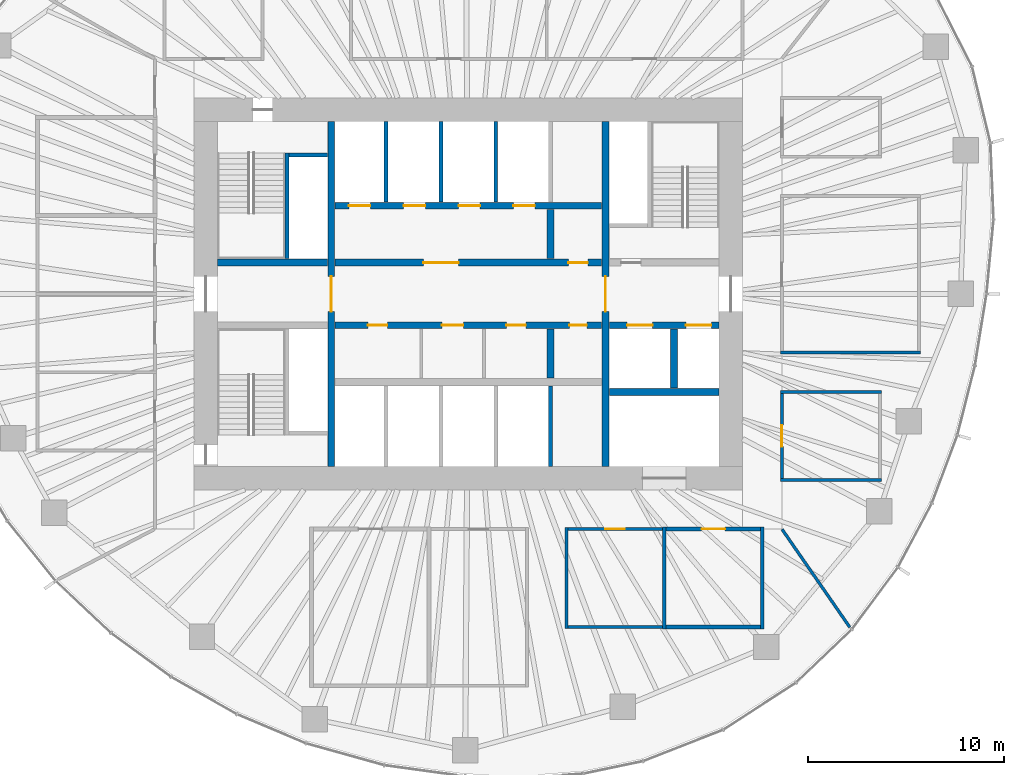
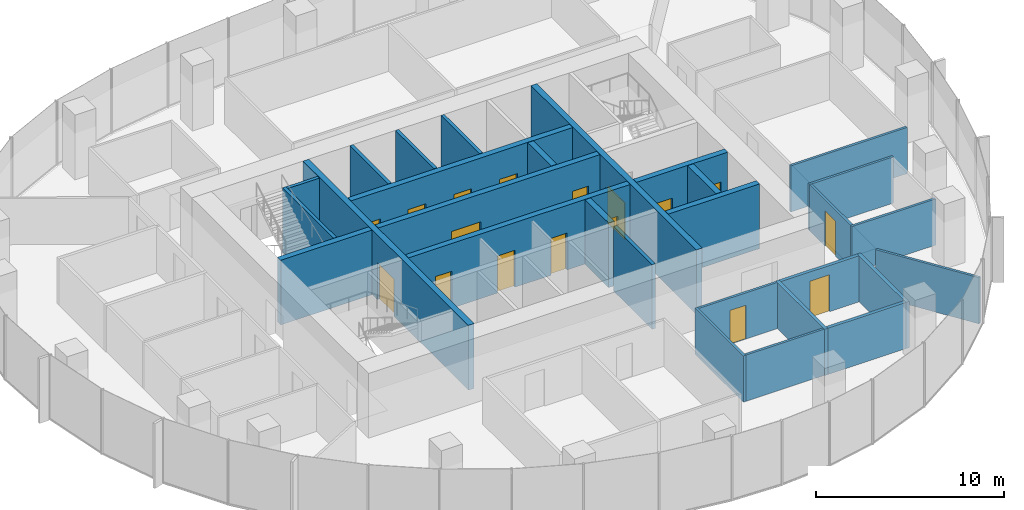
# One storey, part 9 of 12: 29 walls, 17 doors, 17 openings.
"""IFC4 building model written with IfcOpenShell, lengths in metres."""

from ifc_helpers import new_model, si_unit, direction, frame, frame_2d, origin, place, context, subcontext, project, spatial, rectangle, extrude, material, layer, layer_set, type_object, element, fill, save


model = new_model("IFC4")

# Units and contexts
model_context = context("Model", 3, precision=1e-05, world=origin(), true_north=direction((0.0, 1.0)))
body_context = subcontext(model_context, "Body", "Model", "MODEL_VIEW")
ifc_project = project(units=[si_unit("LENGTHUNIT", "METRE"), si_unit("AREAUNIT", "SQUARE_METRE"), si_unit("VOLUMEUNIT", "CUBIC_METRE"), si_unit("PLANEANGLEUNIT", "RADIAN"), si_unit("MASSUNIT", "GRAM", prefix="KILO")], contexts=[model_context])

# Site, building, storey
site_placement = place(None, origin())
site = spatial("IfcSite", under=ifc_project, at=site_placement, CompositionType="ELEMENT")
building_placement = place(site_placement, origin())
building = spatial("IfcBuilding", under=site, at=building_placement, Name="Ghaith Harvest Tower", CompositionType="ELEMENT")
storey_placement = place(building_placement, frame((0.0, 0.0, 228.39990234375)))
storey = spatial("IfcBuildingStorey", under=building, at=storey_placement, Name="L50", CompositionType="ELEMENT", Elevation=228.39990234375)

# Walls
ifc_material_1 = material(Name="Twin-stud gypsum board, acoustic", Category="gypsum")
ifc_layer_1 = layer(ifc_material_1, 0.199951171875)
ifc_layer_set_1 = layer_set([ifc_layer_1], Name="ACOUSTIC PARTITION 200")
wall_type_1 = type_object("IfcWallType", Name="ACOUSTIC PARTITION 200", PredefinedType="PARTITIONING", material=ifc_layer_set_1)
for number, where, z_axis, x_axis, name in (
    (1, (10.0, -11.89990234375, 0.0), (0.0, 0.0, 1.0), (0.0, -1.0, 0.0), "Partition L50 row S4 cross wall 2"),
    (2, (15.0, -11.89990234375, 0.0), (0.0, 0.0, 1.0), (0.0, -1.0, 0.0), "Partition L50 row S4 cross wall 3"),
):
    element("IfcWall", number, at=place(storey_placement, frame(where, z_axis=z_axis, x_axis=x_axis)), inside=storey, type_object=wall_type_1, Name=name, PredefinedType="PARTITIONING", context=body_context, shape_type="SweptSolid", body=[
        extrude(rectangle(XDim=5.2001953125, YDim=0.199951171875, at=frame_2d((2.60009765625, 0.0))), origin(), (0.0, 0.0, 1.0), 3.0),
    ])

# Wall, opening, door
wall_1_placement = place(storey_placement, frame((10.10009765625, -12.0, 0.0), z_axis=(0.0, 0.0, 1.0), x_axis=(1.0, 0.0, 0.0)))
wall_1 = element("IfcWall", 3, at=wall_1_placement, inside=storey, type_object=wall_type_1, Name="Partition L50-07", PredefinedType="PARTITIONING", context=body_context, shape_type="SweptSolid", body=[
    extrude(rectangle(XDim=4.7998046875, YDim=0.199951171875, at=frame_2d((2.39990234375, 0.0))), origin(), (0.0, 0.0, 1.0), 3.0),
])
opening_1_placement = place(wall_1_placement, frame((1.800048828125, 0.0, 0.0)))
opening_1 = element("IfcOpeningElement", 4, at=opening_1_placement, cuts=wall_1, Name="Opening 50-027", PredefinedType="OPENING", context=body_context, shape_type="SweptSolid", body=[
    extrude(rectangle(XDim=1.199951171875, YDim=2.39990234375, at=frame_2d((0.60009765625, 1.199951171875))), frame((0.0, 0.10986328125, 0.0), z_axis=(0.0, -1.0, 0.0), x_axis=(1.0, 0.0, 0.0)), (0.0, 0.0, 1.0), 0.219970703125),
])
ifc_material_2 = material(Name="Timber door", Category="wood")
door_type_1 = type_object("IfcDoorType", Name="D11 GLAZED 1200x2400", OperationType="SINGLE_SWING_LEFT", PredefinedType="DOOR", material=ifc_material_2)
door_1_placement = place(opening_1_placement, origin())
door_1 = element("IfcDoor", 5, at=door_1_placement, inside=storey, type_object=door_type_1, Name="Meeting room door", OperationType="SINGLE_SWING_LEFT", OverallHeight=2.39990234375, OverallWidth=1.199951171875, PredefinedType="DOOR", context=body_context, shape_type="SweptSolid", body=[
    extrude(rectangle(XDim=1.199951171875, YDim=2.39990234375, at=frame_2d((0.60009765625, 1.199951171875))), frame((0.0, 0.02490234375, 0.0), z_axis=(0.0, -1.0, 0.0), x_axis=(1.0, 0.0, 0.0)), (0.0, 0.0, 1.0), 0.050048828125),
])
fill(opening_1, door_1)

# Walls
wall_2_placement = place(storey_placement, frame((10.10009765625, -17.0, 0.0), z_axis=(0.0, 0.0, 1.0), x_axis=(1.0, 0.0, 0.0)))
element("IfcWall", 6, at=wall_2_placement, inside=storey, type_object=wall_type_1, Name="Partition L50-07", PredefinedType="PARTITIONING", context=body_context, shape_type="SweptSolid", body=[
    extrude(rectangle(XDim=4.7998046875, YDim=0.199951171875, at=frame_2d((2.39990234375, 0.0))), origin(), (0.0, 0.0, 1.0), 3.0),
])
ifc_material_3 = material(Name="Concrete blockwork, 2-hour", Category="masonry")
ifc_layer_2 = layer(ifc_material_3, 0.199951171875)
ifc_layer_set_2 = layer_set([ifc_layer_2], Name="LIFT SHAFT WALL 200")
wall_type_2 = type_object("IfcWallType", Name="LIFT SHAFT WALL 200", PredefinedType="PARTITIONING", material=ifc_layer_set_2)
for number, where, z_axis, x_axis, name in (
    (7, (-4.199951171875, 4.699951171875, 0.0), (0.0, 0.0, 1.0), (0.0, 1.0, 0.0), "Lift shaft wall L50"),
    (8, (-1.39990234375, 4.699951171875, 0.0), (0.0, 0.0, 1.0), (0.0, 1.0, 0.0), "Lift shaft wall L50"),
    (9, (1.39990234375, 4.699951171875, 0.0), (0.0, 0.0, 1.0), (0.0, 1.0, 0.0), "Lift shaft wall L50"),
    (10, (4.199951171875, -4.699951171875, 0.0), (0.0, 0.0, 1.0), (0.0, -1.0, 0.0), "Lift shaft wall L50"),
):
    element("IfcWall", number, at=place(storey_placement, frame(where, z_axis=z_axis, x_axis=x_axis)), inside=storey, type_object=wall_type_2, Name=name, PredefinedType="PARTITIONING", context=body_context, shape_type="SweptSolid", body=[
        extrude(rectangle(XDim=4.10009765625, YDim=0.199951171875, at=frame_2d((2.050048828125, 0.0))), origin(), (0.0, 0.0, 1.0), 4.2001953125),
    ])
ifc_material_4 = material(Name="Gypsum board on steel studs", Category="steel")
ifc_layer_3 = layer(ifc_material_4, 0.14990234375)
ifc_layer_set_3 = layer_set([ifc_layer_3], Name="PARTITION 150")
wall_type_3 = type_object("IfcWallType", Name="PARTITION 150", PredefinedType="PARTITIONING", material=ifc_layer_set_3)
wall_3_placement = place(storey_placement, frame((5.0, -11.925048828125, 0.0), z_axis=(0.0, 0.0, 1.0), x_axis=(0.0, -1.0, 0.0)))
element("IfcWall", 11, at=wall_3_placement, inside=storey, type_object=wall_type_3, Name="Partition L50 row S4 cross wall 1", PredefinedType="PARTITIONING", context=body_context, shape_type="SweptSolid", body=[
    extrude(rectangle(XDim=5.14990234375, YDim=0.14990234375, at=frame_2d((2.574951171875, 0.0))), origin(), (0.0, 0.0, 1.0), 3.0),
])

# Wall, opening, door
wall_4_placement = place(storey_placement, frame((5.074951171875, -12.0, 0.0), z_axis=(0.0, 0.0, 1.0), x_axis=(1.0, 0.0, 0.0)))
wall_4 = element("IfcWall", 12, at=wall_4_placement, inside=storey, type_object=wall_type_3, Name="Partition L50-06", PredefinedType="PARTITIONING", context=body_context, shape_type="SweptSolid", body=[
    extrude(rectangle(XDim=4.824951171875, YDim=0.14990234375, at=frame_2d((2.41259765625, 0.0))), origin(), (0.0, 0.0, 1.0), 3.0),
])
opening_2_placement = place(wall_4_placement, frame((1.91259765625, 0.0, 0.0)))
opening_2 = element("IfcOpeningElement", 13, at=opening_2_placement, cuts=wall_4, Name="Opening 50-026", PredefinedType="OPENING", context=body_context, shape_type="SweptSolid", body=[
    extrude(rectangle(XDim=1.0, YDim=2.199951171875, at=frame_2d((0.5, 1.10009765625))), frame((0.0, 0.0849609375, 0.0), z_axis=(0.0, -1.0, 0.0), x_axis=(1.0, 0.0, 0.0)), (0.0, 0.0, 1.0), 0.169921875),
])
ifc_material_5 = material(Name="Timber door", Category="wood")
door_type_2 = type_object("IfcDoorType", Name="D1 SINGLE 1000x2200", OperationType="SINGLE_SWING_LEFT", PredefinedType="DOOR", material=ifc_material_5)
door_2_placement = place(opening_2_placement, origin())
door_2 = element("IfcDoor", 14, at=door_2_placement, inside=storey, type_object=door_type_2, Name="Pantry door", OperationType="SINGLE_SWING_LEFT", OverallHeight=2.199951171875, OverallWidth=1.0, PredefinedType="DOOR", context=body_context, shape_type="SweptSolid", body=[
    extrude(rectangle(XDim=1.0, YDim=2.199951171875, at=frame_2d((0.5, 1.10009765625))), frame((0.0, 0.02490234375, 0.0), z_axis=(0.0, -1.0, 0.0), x_axis=(1.0, 0.0, 0.0)), (0.0, 0.0, 1.0), 0.050048828125),
])
fill(opening_2, door_2)

# Walls
wall_5_placement = place(storey_placement, frame((5.074951171875, -17.0, 0.0), z_axis=(0.0, 0.0, 1.0), x_axis=(1.0, 0.0, 0.0)))
element("IfcWall", 15, at=wall_5_placement, inside=storey, type_object=wall_type_3, Name="Partition L50-06", PredefinedType="PARTITIONING", context=body_context, shape_type="SweptSolid", body=[
    extrude(rectangle(XDim=4.824951171875, YDim=0.14990234375, at=frame_2d((2.41259765625, 0.0))), origin(), (0.0, 0.0, 1.0), 3.0),
])
wall_6_placement = place(storey_placement, frame((15.925048828125, -3.0, 0.0), z_axis=(0.0, 0.0, 1.0), x_axis=(1.0, 0.0, 0.0)))
element("IfcWall", 16, at=wall_6_placement, inside=storey, type_object=wall_type_3, Name="Partition L50 row E5 cross wall 1", PredefinedType="PARTITIONING", context=body_context, shape_type="SweptSolid", body=[
    extrude(rectangle(XDim=7.14990234375, YDim=0.14990234375, at=frame_2d((3.574951171875, 0.0))), origin(), (0.0, 0.0, 1.0), 3.0),
])
for number, where, z_axis, x_axis, name in (
    (17, (15.925048828125, -9.5, 0.0), (0.0, 0.0, 1.0), (1.0, 0.0, 0.0), "Partition L50 row E8 cross wall 1"),
    (18, (15.925048828125, -5.0, 0.0), (0.0, 0.0, 1.0), (1.0, 0.0, 0.0), "Partition L50 row E8 cross wall 2"),
):
    element("IfcWall", number, at=place(storey_placement, frame(where, z_axis=z_axis, x_axis=x_axis)), inside=storey, type_object=wall_type_3, Name=name, PredefinedType="PARTITIONING", context=body_context, shape_type="SweptSolid", body=[
        extrude(rectangle(XDim=5.14990234375, YDim=0.14990234375, at=frame_2d((2.574951171875, 0.0))), origin(), (0.0, 0.0, 1.0), 3.0),
    ])

# Wall, opening, door
wall_7_placement = place(storey_placement, frame((16.0, -9.425048828125, 0.0), z_axis=(0.0, 0.0, 1.0), x_axis=(0.0, 1.0, 0.0)))
wall_7 = element("IfcWall", 19, at=wall_7_placement, inside=storey, type_object=wall_type_3, Name="Partition L50-14", PredefinedType="PARTITIONING", context=body_context, shape_type="SweptSolid", body=[
    extrude(rectangle(XDim=4.35009765625, YDim=0.14990234375, at=frame_2d((2.175048828125, 0.0))), origin(), (0.0, 0.0, 1.0), 3.0),
])
opening_3_placement = place(wall_7_placement, frame((1.625, 0.0, 0.0)))
opening_3 = element("IfcOpeningElement", 20, at=opening_3_placement, cuts=wall_7, Name="Opening 50-034", PredefinedType="OPENING", context=body_context, shape_type="SweptSolid", body=[
    extrude(rectangle(XDim=1.10009765625, YDim=2.300048828125, at=frame_2d((0.550048828125, 1.14990234375))), frame((0.0, 0.0849609375, 0.0), z_axis=(0.0, -1.0, 0.0), x_axis=(1.0, 0.0, 0.0)), (0.0, 0.0, 1.0), 0.169921875),
])
ifc_material_6 = material(Name="Timber-framed glazed door", Category="wood")
door_type_3 = type_object("IfcDoorType", Name="D12 GLAZED OFFICE 1100x2300", OperationType="SINGLE_SWING_LEFT", PredefinedType="DOOR", material=ifc_material_6)
door_3_placement = place(opening_3_placement, origin())
door_3 = element("IfcDoor", 21, at=door_3_placement, inside=storey, type_object=door_type_3, Name="Office door", OperationType="SINGLE_SWING_LEFT", OverallHeight=2.300048828125, OverallWidth=1.10009765625, PredefinedType="DOOR", context=body_context, shape_type="SweptSolid", body=[
    extrude(rectangle(XDim=1.10009765625, YDim=2.300048828125, at=frame_2d((0.550048828125, 1.14990234375))), frame((0.0, 0.02490234375, 0.0), z_axis=(0.0, -1.0, 0.0), x_axis=(1.0, 0.0, 0.0)), (0.0, 0.0, 1.0), 0.050048828125),
])
fill(opening_3, door_3)

# Wall
wall_8_placement = place(storey_placement, frame((16.011474609375, -12.016357421875, 0.0), z_axis=(0.0, 0.0, 1.0), x_axis=(0.568863489071, -0.822431961199, 0.0)))
element("IfcWall", 22, at=wall_8_placement, inside=storey, type_object=wall_type_3, Name="Partition L50 zone division", PredefinedType="PARTITIONING", context=body_context, shape_type="SweptSolid", body=[
    extrude(rectangle(XDim=6.0830078125, YDim=0.14990234375, at=frame_2d((3.04150390625, 0.0))), origin(), (0.0, 0.0, 1.0), 3.0),
])

# Wall, opening, door
ifc_material_7 = material(Name="Concrete C60/75", Category="concrete")
ifc_layer_4 = layer(ifc_material_7, 0.35009765625)
ifc_layer_set_4 = layer_set([ifc_layer_4], Name="SHAFT WALL 350")
wall_type_4 = type_object("IfcWallType", Name="SHAFT WALL 350", PredefinedType="SHEAR", material=ifc_layer_set_4)
wall_9_placement = place(storey_placement, frame((-7.0, -8.800048828125, 0.0), z_axis=(0.0, 0.0, 1.0), x_axis=(0.0, 1.0, 0.0)))
wall_9 = element("IfcWall", 23, at=wall_9_placement, inside=storey, type_object=wall_type_4, Name="Shaft wall W7W L50", PredefinedType="SHEAR", context=body_context, shape_type="SweptSolid", body=[
    extrude(rectangle(XDim=17.60009765625, YDim=0.35009765625, at=frame_2d((8.800048828125, 0.0))), origin(), (0.0, 0.0, 1.0), 4.2001953125),
])
opening_4_placement = place(wall_9_placement, frame((7.89990234375, 0.0, 0.0)))
opening_4 = element("IfcOpeningElement", 24, at=opening_4_placement, cuts=wall_9, Name="Opening 50-003", PredefinedType="OPENING", context=body_context, shape_type="SweptSolid", body=[
    extrude(rectangle(XDim=1.800048828125, YDim=2.39990234375, at=frame_2d((0.89990234375, 1.199951171875))), frame((0.0, 0.18505859375, 0.0), z_axis=(0.0, -1.0, 0.0), x_axis=(1.0, 0.0, 0.0)), (0.0, 0.0, 1.0), 0.3701171875),
])
ifc_material_8 = material(Name="Steel fire door", Category="steel")
door_type_4 = type_object("IfcDoorType", Name="D4 FD90 PAIR 1800x2400", OperationType="DOUBLE_DOOR_SINGLE_SWING", PredefinedType="DOOR", material=ifc_material_8)
door_4_placement = place(opening_4_placement, origin())
door_4 = element("IfcDoor", 25, at=door_4_placement, inside=storey, type_object=door_type_4, Name="Lift lobby doors, west", OperationType="DOUBLE_DOOR_SINGLE_SWING", OverallHeight=2.39990234375, OverallWidth=1.800048828125, PredefinedType="DOOR", context=body_context, shape_type="SweptSolid", body=[
    extrude(rectangle(XDim=1.800048828125, YDim=2.39990234375, at=frame_2d((0.89990234375, 1.199951171875))), frame((0.0, 0.02490234375, 0.0), z_axis=(0.0, -1.0, 0.0), x_axis=(1.0, 0.0, 0.0)), (0.0, 0.0, 1.0), 0.050048828125),
])
fill(opening_4, door_4)

wall_10_placement = place(storey_placement, frame((7.0, -8.800048828125, 0.0), z_axis=(0.0, 0.0, 1.0), x_axis=(0.0, 1.0, 0.0)))
wall_10 = element("IfcWall", 26, at=wall_10_placement, inside=storey, type_object=wall_type_4, Name="Shaft wall W7E L50", PredefinedType="SHEAR", context=body_context, shape_type="SweptSolid", body=[
    extrude(rectangle(XDim=17.60009765625, YDim=0.35009765625, at=frame_2d((8.800048828125, 0.0))), origin(), (0.0, 0.0, 1.0), 4.2001953125),
])
opening_5_placement = place(wall_10_placement, frame((7.89990234375, 0.0, 0.0)))
opening_5 = element("IfcOpeningElement", 27, at=opening_5_placement, cuts=wall_10, Name="Opening 50-004", PredefinedType="OPENING", context=body_context, shape_type="SweptSolid", body=[
    extrude(rectangle(XDim=1.800048828125, YDim=2.39990234375, at=frame_2d((0.89990234375, 1.199951171875))), frame((0.0, 0.18505859375, 0.0), z_axis=(0.0, -1.0, 0.0), x_axis=(1.0, 0.0, 0.0)), (0.0, 0.0, 1.0), 0.3701171875),
])
door_5_placement = place(opening_5_placement, origin())
door_5 = element("IfcDoor", 28, at=door_5_placement, inside=storey, type_object=door_type_4, Name="Lift lobby doors, east", OperationType="DOUBLE_DOOR_SINGLE_SWING", OverallHeight=2.39990234375, OverallWidth=1.800048828125, PredefinedType="DOOR", context=body_context, shape_type="SweptSolid", body=[
    extrude(rectangle(XDim=1.800048828125, YDim=2.39990234375, at=frame_2d((0.89990234375, 1.199951171875))), frame((0.0, 0.02490234375, 0.0), z_axis=(0.0, -1.0, 0.0), x_axis=(1.0, 0.0, 0.0)), (0.0, 0.0, 1.0), 0.050048828125),
])
fill(opening_5, door_5)

# Wall, openings, doors
wall_11_placement = place(storey_placement, frame((-6.800048828125, 1.60009765625, 0.0), z_axis=(0.0, 0.0, 1.0), x_axis=(1.0, 0.0, 0.0)))
wall_11 = element("IfcWall", 29, at=wall_11_placement, inside=storey, type_object=wall_type_4, Name="Shaft wall LN L50", PredefinedType="SHEAR", context=body_context, shape_type="SweptSolid", body=[
    extrude(rectangle(XDim=13.60009765625, YDim=0.35009765625, at=frame_2d((6.800048828125, 0.0))), origin(), (0.0, 0.0, 1.0), 4.2001953125),
])
opening_6_placement = place(wall_11_placement, frame((11.89990234375, 0.0, 0.0)))
opening_6 = element("IfcOpeningElement", 30, at=opening_6_placement, cuts=wall_11, Name="Opening 50-011", PredefinedType="OPENING", context=body_context, shape_type="SweptSolid", body=[
    extrude(rectangle(XDim=1.0, YDim=2.39990234375, at=frame_2d((0.5, 1.199951171875))), frame((0.0, 0.18505859375, 0.0), z_axis=(0.0, -1.0, 0.0), x_axis=(1.0, 0.0, 0.0)), (0.0, 0.0, 1.0), 0.3701171875),
])
opening_7_placement = place(wall_11_placement, frame((4.5, 0.0, 0.0)))
opening_7 = element("IfcOpeningElement", 31, at=opening_7_placement, cuts=wall_11, Name="Opening 50-013", PredefinedType="OPENING", context=body_context, shape_type="SweptSolid", body=[
    extrude(rectangle(XDim=1.800048828125, YDim=2.39990234375, at=frame_2d((0.89990234375, 1.199951171875))), frame((0.0, 0.18505859375, 0.0), z_axis=(0.0, -1.0, 0.0), x_axis=(1.0, 0.0, 0.0)), (0.0, 0.0, 1.0), 0.3701171875),
])
ifc_material_9 = material(Name="Steel fire door", Category="steel")
door_type_5 = type_object("IfcDoorType", Name="D3 FD90 1000x2400", OperationType="SINGLE_SWING_LEFT", PredefinedType="DOOR", material=ifc_material_9)
door_6_placement = place(opening_6_placement, origin())
door_6 = element("IfcDoor", 32, at=door_6_placement, inside=storey, type_object=door_type_5, Name="Electrical room door", OperationType="SINGLE_SWING_RIGHT", OverallHeight=2.39990234375, OverallWidth=1.0, PredefinedType="DOOR", context=body_context, shape_type="SweptSolid", body=[
    extrude(rectangle(XDim=1.0, YDim=2.39990234375, at=frame_2d((0.5, 1.199951171875))), frame((0.0, 0.02490234375, 0.0), z_axis=(0.0, -1.0, 0.0), x_axis=(1.0, 0.0, 0.0)), (0.0, 0.0, 1.0), 0.050048828125),
])
fill(opening_6, door_6)
door_7_placement = place(opening_7_placement, origin())
door_7 = element("IfcDoor", 33, at=door_7_placement, inside=storey, type_object=door_type_4, Name="Lift lobby doors, high-rise bank", OperationType="DOUBLE_DOOR_SINGLE_SWING", OverallHeight=2.39990234375, OverallWidth=1.800048828125, PredefinedType="DOOR", context=body_context, shape_type="SweptSolid", body=[
    extrude(rectangle(XDim=1.800048828125, YDim=2.39990234375, at=frame_2d((0.89990234375, 1.199951171875))), frame((0.0, 0.02490234375, 0.0), z_axis=(0.0, -1.0, 0.0), x_axis=(1.0, 0.0, 0.0)), (0.0, 0.0, 1.0), 0.050048828125),
])
fill(opening_7, door_7)

wall_12_placement = place(storey_placement, frame((-6.800048828125, -1.60009765625, 0.0), z_axis=(0.0, 0.0, 1.0), x_axis=(1.0, 0.0, 0.0)))
wall_12 = element("IfcWall", 34, at=wall_12_placement, inside=storey, type_object=wall_type_4, Name="Shaft wall LS L50", PredefinedType="SHEAR", context=body_context, shape_type="SweptSolid", body=[
    extrude(rectangle(XDim=13.60009765625, YDim=0.35009765625, at=frame_2d((6.800048828125, 0.0))), origin(), (0.0, 0.0, 1.0), 4.2001953125),
])
opening_8_placement = place(wall_12_placement, frame((1.6650390625, 0.0, 0.0)))
opening_8 = element("IfcOpeningElement", 35, at=opening_8_placement, cuts=wall_12, Name="Opening 50-008", PredefinedType="OPENING", context=body_context, shape_type="SweptSolid", body=[
    extrude(rectangle(XDim=1.0, YDim=2.39990234375, at=frame_2d((0.5, 1.199951171875))), frame((0.0, 0.18505859375, 0.0), z_axis=(0.0, -1.0, 0.0), x_axis=(1.0, 0.0, 0.0)), (0.0, 0.0, 1.0), 0.3701171875),
])
opening_9_placement = place(wall_12_placement, frame((5.449951171875, 0.0, 0.0)))
opening_9 = element("IfcOpeningElement", 36, at=opening_9_placement, cuts=wall_12, Name="Opening 50-009", PredefinedType="OPENING", context=body_context, shape_type="SweptSolid", body=[
    extrude(rectangle(XDim=1.10009765625, YDim=2.39990234375, at=frame_2d((0.550048828125, 1.199951171875))), frame((0.0, 0.18505859375, 0.0), z_axis=(0.0, -1.0, 0.0), x_axis=(1.0, 0.0, 0.0)), (0.0, 0.0, 1.0), 0.3701171875),
])
opening_10_placement = place(wall_12_placement, frame((8.735107421875, 0.0, 0.0)))
opening_10 = element("IfcOpeningElement", 37, at=opening_10_placement, cuts=wall_12, Name="Opening 50-010", PredefinedType="OPENING", context=body_context, shape_type="SweptSolid", body=[
    extrude(rectangle(XDim=1.0, YDim=2.39990234375, at=frame_2d((0.5, 1.199951171875))), frame((0.0, 0.18505859375, 0.0), z_axis=(0.0, -1.0, 0.0), x_axis=(1.0, 0.0, 0.0)), (0.0, 0.0, 1.0), 0.3701171875),
])
opening_11_placement = place(wall_12_placement, frame((11.949951171875, 0.0, 0.0)))
opening_11 = element("IfcOpeningElement", 38, at=opening_11_placement, cuts=wall_12, Name="Opening 50-012", PredefinedType="OPENING", context=body_context, shape_type="SweptSolid", body=[
    extrude(rectangle(XDim=0.89990234375, YDim=2.39990234375, at=frame_2d((0.449951171875, 1.199951171875))), frame((0.0, 0.18505859375, 0.0), z_axis=(0.0, -1.0, 0.0), x_axis=(1.0, 0.0, 0.0)), (0.0, 0.0, 1.0), 0.3701171875),
])
door_8_placement = place(opening_8_placement, origin())
door_8 = element("IfcDoor", 39, at=door_8_placement, inside=storey, type_object=door_type_5, Name="Female WC door", OperationType="SINGLE_SWING_LEFT", OverallHeight=2.39990234375, OverallWidth=1.0, PredefinedType="DOOR", context=body_context, shape_type="SweptSolid", body=[
    extrude(rectangle(XDim=1.0, YDim=2.39990234375, at=frame_2d((0.5, 1.199951171875))), frame((0.0, 0.02490234375, 0.0), z_axis=(0.0, -1.0, 0.0), x_axis=(1.0, 0.0, 0.0)), (0.0, 0.0, 1.0), 0.050048828125),
])
fill(opening_8, door_8)
door_9_placement = place(opening_10_placement, origin())
door_9 = element("IfcDoor", 40, at=door_9_placement, inside=storey, type_object=door_type_5, Name="Male WC door", OperationType="SINGLE_SWING_RIGHT", OverallHeight=2.39990234375, OverallWidth=1.0, PredefinedType="DOOR", context=body_context, shape_type="SweptSolid", body=[
    extrude(rectangle(XDim=1.0, YDim=2.39990234375, at=frame_2d((0.5, 1.199951171875))), frame((0.0, 0.02490234375, 0.0), z_axis=(0.0, -1.0, 0.0), x_axis=(1.0, 0.0, 0.0)), (0.0, 0.0, 1.0), 0.050048828125),
])
fill(opening_10, door_9)
ifc_material_10 = material(Name="Steel fire door", Category="steel")
door_type_6 = type_object("IfcDoorType", Name="D5 FD90 900x2400", OperationType="SINGLE_SWING_LEFT", PredefinedType="DOOR", material=ifc_material_10)
door_10_placement = place(opening_11_placement, origin())
door_10 = element("IfcDoor", 41, at=door_10_placement, inside=storey, type_object=door_type_6, Name="Cleaner's store door", OperationType="SINGLE_SWING_RIGHT", OverallHeight=2.39990234375, OverallWidth=0.89990234375, PredefinedType="DOOR", context=body_context, shape_type="SweptSolid", body=[
    extrude(rectangle(XDim=0.89990234375, YDim=2.39990234375, at=frame_2d((0.449951171875, 1.199951171875))), frame((0.0, 0.02490234375, 0.0), z_axis=(0.0, -1.0, 0.0), x_axis=(1.0, 0.0, 0.0)), (0.0, 0.0, 1.0), 0.050048828125),
])
fill(opening_11, door_10)
ifc_material_11 = material(Name="Steel fire door", Category="steel")
door_type_7 = type_object("IfcDoorType", Name="D9 FD90 1100x2400", OperationType="SINGLE_SWING_LEFT", PredefinedType="DOOR", material=ifc_material_11)
door_11_placement = place(opening_9_placement, origin())
door_11 = element("IfcDoor", 42, at=door_11_placement, inside=storey, type_object=door_type_7, Name="Accessible WC door", OperationType="SINGLE_SWING_LEFT", OverallHeight=2.39990234375, OverallWidth=1.10009765625, PredefinedType="DOOR", context=body_context, shape_type="SweptSolid", body=[
    extrude(rectangle(XDim=1.10009765625, YDim=2.39990234375, at=frame_2d((0.550048828125, 1.199951171875))), frame((0.0, 0.02490234375, 0.0), z_axis=(0.0, -1.0, 0.0), x_axis=(1.0, 0.0, 0.0)), (0.0, 0.0, 1.0), 0.050048828125),
])
fill(opening_9, door_11)

wall_13_placement = place(storey_placement, frame((-6.800048828125, 4.5, 0.0), z_axis=(0.0, 0.0, 1.0), x_axis=(1.0, 0.0, 0.0)))
wall_13 = element("IfcWall", 43, at=wall_13_placement, inside=storey, type_object=wall_type_4, Name="Shaft wall BN L50", PredefinedType="SHEAR", context=body_context, shape_type="SweptSolid", body=[
    extrude(rectangle(XDim=13.60009765625, YDim=0.35009765625, at=frame_2d((6.800048828125, 0.0))), origin(), (0.0, 0.0, 1.0), 4.2001953125),
])
opening_12_placement = place(wall_13_placement, frame((0.699951171875, 0.0, 0.0)))
opening_12 = element("IfcOpeningElement", 44, at=opening_12_placement, cuts=wall_13, Name="Opening 50-014", PredefinedType="OPENING", context=body_context, shape_type="SweptSolid", body=[
    extrude(rectangle(XDim=1.10009765625, YDim=2.39990234375, at=frame_2d((0.550048828125, 1.199951171875))), frame((0.0, 0.18505859375, 0.0), z_axis=(0.0, -1.0, 0.0), x_axis=(1.0, 0.0, 0.0)), (0.0, 0.0, 1.0), 0.3701171875),
])
opening_13_placement = place(wall_13_placement, frame((3.5, 0.0, 0.0)))
opening_13 = element("IfcOpeningElement", 45, at=opening_13_placement, cuts=wall_13, Name="Opening 50-015", PredefinedType="OPENING", context=body_context, shape_type="SweptSolid", body=[
    extrude(rectangle(XDim=1.10009765625, YDim=2.39990234375, at=frame_2d((0.550048828125, 1.199951171875))), frame((0.0, 0.18505859375, 0.0), z_axis=(0.0, -1.0, 0.0), x_axis=(1.0, 0.0, 0.0)), (0.0, 0.0, 1.0), 0.3701171875),
])
opening_14_placement = place(wall_13_placement, frame((6.300048828125, 0.0, 0.0)))
opening_14 = element("IfcOpeningElement", 46, at=opening_14_placement, cuts=wall_13, Name="Opening 50-016", PredefinedType="OPENING", context=body_context, shape_type="SweptSolid", body=[
    extrude(rectangle(XDim=1.10009765625, YDim=2.39990234375, at=frame_2d((0.550048828125, 1.199951171875))), frame((0.0, 0.18505859375, 0.0), z_axis=(0.0, -1.0, 0.0), x_axis=(1.0, 0.0, 0.0)), (0.0, 0.0, 1.0), 0.3701171875),
])
opening_15_placement = place(wall_13_placement, frame((9.10009765625, 0.0, 0.0)))
opening_15 = element("IfcOpeningElement", 47, at=opening_15_placement, cuts=wall_13, Name="Opening 50-017", PredefinedType="OPENING", context=body_context, shape_type="SweptSolid", body=[
    extrude(rectangle(XDim=1.10009765625, YDim=2.39990234375, at=frame_2d((0.550048828125, 1.199951171875))), frame((0.0, 0.18505859375, 0.0), z_axis=(0.0, -1.0, 0.0), x_axis=(1.0, 0.0, 0.0)), (0.0, 0.0, 1.0), 0.3701171875),
])
ifc_material_12 = material(Name="Steel fire door", Category="steel")
door_type_8 = type_object("IfcDoorType", Name="LD1 LANDING 1100x2400", OperationType="DOUBLE_DOOR_SLIDING", PredefinedType="DOOR", material=ifc_material_12)
door_12_placement = place(opening_12_placement, origin())
door_12 = element("IfcDoor", 48, at=door_12_placement, inside=storey, type_object=door_type_8, Name="Landing door, lift HR1", OperationType="DOUBLE_DOOR_SLIDING", OverallHeight=2.39990234375, OverallWidth=1.10009765625, PredefinedType="DOOR", context=body_context, shape_type="SweptSolid", body=[
    extrude(rectangle(XDim=1.10009765625, YDim=2.39990234375, at=frame_2d((0.550048828125, 1.199951171875))), frame((0.0, 0.02490234375, 0.0), z_axis=(0.0, -1.0, 0.0), x_axis=(1.0, 0.0, 0.0)), (0.0, 0.0, 1.0), 0.050048828125),
])
fill(opening_12, door_12)
door_13_placement = place(opening_13_placement, origin())
door_13 = element("IfcDoor", 49, at=door_13_placement, inside=storey, type_object=door_type_8, Name="Landing door, lift HR2", OperationType="DOUBLE_DOOR_SLIDING", OverallHeight=2.39990234375, OverallWidth=1.10009765625, PredefinedType="DOOR", context=body_context, shape_type="SweptSolid", body=[
    extrude(rectangle(XDim=1.10009765625, YDim=2.39990234375, at=frame_2d((0.550048828125, 1.199951171875))), frame((0.0, 0.02490234375, 0.0), z_axis=(0.0, -1.0, 0.0), x_axis=(1.0, 0.0, 0.0)), (0.0, 0.0, 1.0), 0.050048828125),
])
fill(opening_13, door_13)
door_14_placement = place(opening_14_placement, origin())
door_14 = element("IfcDoor", 50, at=door_14_placement, inside=storey, type_object=door_type_8, Name="Landing door, lift HR3", OperationType="DOUBLE_DOOR_SLIDING", OverallHeight=2.39990234375, OverallWidth=1.10009765625, PredefinedType="DOOR", context=body_context, shape_type="SweptSolid", body=[
    extrude(rectangle(XDim=1.10009765625, YDim=2.39990234375, at=frame_2d((0.550048828125, 1.199951171875))), frame((0.0, 0.02490234375, 0.0), z_axis=(0.0, -1.0, 0.0), x_axis=(1.0, 0.0, 0.0)), (0.0, 0.0, 1.0), 0.050048828125),
])
fill(opening_14, door_14)
door_15_placement = place(opening_15_placement, origin())
door_15 = element("IfcDoor", 51, at=door_15_placement, inside=storey, type_object=door_type_8, Name="Landing door, lift HR4", OperationType="DOUBLE_DOOR_SLIDING", OverallHeight=2.39990234375, OverallWidth=1.10009765625, PredefinedType="DOOR", context=body_context, shape_type="SweptSolid", body=[
    extrude(rectangle(XDim=1.10009765625, YDim=2.39990234375, at=frame_2d((0.550048828125, 1.199951171875))), frame((0.0, 0.02490234375, 0.0), z_axis=(0.0, -1.0, 0.0), x_axis=(1.0, 0.0, 0.0)), (0.0, 0.0, 1.0), 0.050048828125),
])
fill(opening_15, door_15)

# Wall
wall_14_placement = place(storey_placement, frame((-12.800048828125, 1.60009765625, 0.0), z_axis=(0.0, 0.0, 1.0), x_axis=(1.0, 0.0, 0.0)))
element("IfcWall", 52, at=wall_14_placement, inside=storey, type_object=wall_type_4, Name="Shaft wall WN L50", PredefinedType="SHEAR", context=body_context, shape_type="SweptSolid", body=[
    extrude(rectangle(XDim=5.60009765625, YDim=0.35009765625, at=frame_2d((2.800048828125, 0.0))), origin(), (0.0, 0.0, 1.0), 4.2001953125),
])

# Wall, openings, doors
wall_15_placement = place(storey_placement, frame((7.199951171875, -1.60009765625, 0.0), z_axis=(0.0, 0.0, 1.0), x_axis=(1.0, 0.0, 0.0)))
wall_15 = element("IfcWall", 53, at=wall_15_placement, inside=storey, type_object=wall_type_4, Name="Shaft wall ES L50", PredefinedType="SHEAR", context=body_context, shape_type="SweptSolid", body=[
    extrude(rectangle(XDim=5.60009765625, YDim=0.35009765625, at=frame_2d((2.800048828125, 0.0))), origin(), (0.0, 0.0, 1.0), 4.2001953125),
])
opening_16_placement = place(wall_15_placement, frame((0.89990234375, 0.0, 0.0)))
opening_16 = element("IfcOpeningElement", 54, at=opening_16_placement, cuts=wall_15, Name="Opening 50-018", PredefinedType="OPENING", context=body_context, shape_type="SweptSolid", body=[
    extrude(rectangle(XDim=1.300048828125, YDim=2.39990234375, at=frame_2d((0.64990234375, 1.199951171875))), frame((0.0, 0.18505859375, 0.0), z_axis=(0.0, -1.0, 0.0), x_axis=(1.0, 0.0, 0.0)), (0.0, 0.0, 1.0), 0.3701171875),
])
opening_17_placement = place(wall_15_placement, frame((3.89990234375, 0.0, 0.0)))
opening_17 = element("IfcOpeningElement", 55, at=opening_17_placement, cuts=wall_15, Name="Opening 50-019", PredefinedType="OPENING", context=body_context, shape_type="SweptSolid", body=[
    extrude(rectangle(XDim=1.300048828125, YDim=2.39990234375, at=frame_2d((0.64990234375, 1.199951171875))), frame((0.0, 0.18505859375, 0.0), z_axis=(0.0, -1.0, 0.0), x_axis=(1.0, 0.0, 0.0)), (0.0, 0.0, 1.0), 0.3701171875),
])
ifc_material_13 = material(Name="Steel fire door", Category="steel")
door_type_9 = type_object("IfcDoorType", Name="LD2 LANDING 1300x2400", OperationType="DOUBLE_DOOR_SLIDING", PredefinedType="DOOR", material=ifc_material_13)
door_16_placement = place(opening_16_placement, origin())
door_16 = element("IfcDoor", 56, at=door_16_placement, inside=storey, type_object=door_type_9, Name="Landing door, fire service lift FL1", OperationType="DOUBLE_DOOR_SLIDING", OverallHeight=2.39990234375, OverallWidth=1.300048828125, PredefinedType="DOOR", context=body_context, shape_type="SweptSolid", body=[
    extrude(rectangle(XDim=1.300048828125, YDim=2.39990234375, at=frame_2d((0.64990234375, 1.199951171875))), frame((0.0, 0.02490234375, 0.0), z_axis=(0.0, -1.0, 0.0), x_axis=(1.0, 0.0, 0.0)), (0.0, 0.0, 1.0), 0.050048828125),
])
fill(opening_16, door_16)
door_17_placement = place(opening_17_placement, origin())
door_17 = element("IfcDoor", 57, at=door_17_placement, inside=storey, type_object=door_type_9, Name="Landing door, fire service lift FL2", OperationType="DOUBLE_DOOR_SLIDING", OverallHeight=2.39990234375, OverallWidth=1.300048828125, PredefinedType="DOOR", context=body_context, shape_type="SweptSolid", body=[
    extrude(rectangle(XDim=1.300048828125, YDim=2.39990234375, at=frame_2d((0.64990234375, 1.199951171875))), frame((0.0, 0.02490234375, 0.0), z_axis=(0.0, -1.0, 0.0), x_axis=(1.0, 0.0, 0.0)), (0.0, 0.0, 1.0), 0.050048828125),
])
fill(opening_17, door_17)

# Walls
wall_16_placement = place(storey_placement, frame((10.5, -4.800048828125, 0.0), z_axis=(0.0, 0.0, 1.0), x_axis=(0.0, 1.0, 0.0)))
element("IfcWall", 58, at=wall_16_placement, inside=storey, type_object=wall_type_4, Name="Shaft wall FLD L50", PredefinedType="SHEAR", context=body_context, shape_type="SweptSolid", body=[
    extrude(rectangle(XDim=3.0, YDim=0.35009765625, at=frame_2d((1.5, 0.0))), origin(), (0.0, 0.0, 1.0), 4.2001953125),
])
wall_17_placement = place(storey_placement, frame((7.199951171875, -5.0, 0.0), z_axis=(0.0, 0.0, 1.0), x_axis=(1.0, 0.0, 0.0)))
element("IfcWall", 59, at=wall_17_placement, inside=storey, type_object=wall_type_4, Name="Shaft wall FLB L50", PredefinedType="SHEAR", context=body_context, shape_type="SweptSolid", body=[
    extrude(rectangle(XDim=5.60009765625, YDim=0.35009765625, at=frame_2d((2.800048828125, 0.0))), origin(), (0.0, 0.0, 1.0), 4.2001953125),
])
for number, where, z_axis, x_axis, name in (
    (60, (4.199951171875, 1.800048828125, 0.0), (0.0, 0.0, 1.0), (0.0, 1.0, 0.0), "Shaft wall DN4 L50"),
    (61, (4.199951171875, -4.300048828125, 0.0), (0.0, 0.0, 1.0), (0.0, 1.0, 0.0), "Shaft wall DS4 L50"),
):
    element("IfcWall", number, at=place(storey_placement, frame(where, z_axis=z_axis, x_axis=x_axis)), inside=storey, type_object=wall_type_4, Name=name, PredefinedType="SHEAR", context=body_context, shape_type="SweptSolid", body=[
        extrude(rectangle(XDim=2.5, YDim=0.35009765625, at=frame_2d((1.25, 0.0))), origin(), (0.0, 0.0, 1.0), 4.2001953125),
    ])
ifc_material_14 = material(Name="Concrete C40/50", Category="concrete")
ifc_layer_5 = layer(ifc_material_14, 0.199951171875)
ifc_layer_set_5 = layer_set([ifc_layer_5], Name="STAIR SPINE WALL RC200")
wall_type_5 = type_object("IfcWallType", Name="STAIR SPINE WALL RC200", PredefinedType="SOLIDWALL", material=ifc_layer_set_5)
wall_18_placement = place(storey_placement, frame((-9.25, 7.199951171875, 0.0), z_axis=(0.0, 0.0, 1.0), x_axis=(0.0, -1.0, 0.0)))
element("IfcWall", 62, at=wall_18_placement, inside=storey, type_object=wall_type_5, Name="Stair ST1 spine wall L50", PredefinedType="SOLIDWALL", context=body_context, shape_type="SweptSolid", body=[
    extrude(rectangle(XDim=5.39990234375, YDim=0.199951171875, at=frame_2d((2.699951171875, 0.0))), origin(), (0.0, 0.0, 1.0), 4.2001953125),
])
wall_19_placement = place(storey_placement, frame((-9.14990234375, 7.10009765625, 0.0), z_axis=(0.0, 0.0, 1.0), x_axis=(1.0, 0.0, 0.0)))
element("IfcWall", 63, at=wall_19_placement, inside=storey, type_object=wall_type_5, Name="Stair ST1 spine wall return L50", PredefinedType="SOLIDWALL", context=body_context, shape_type="SweptSolid", body=[
    extrude(rectangle(XDim=1.949951171875, YDim=0.199951171875, at=frame_2d((0.97509765625, 0.0))), origin(), (0.0, 0.0, 1.0), 4.2001953125),
])

save(model, "model.ifc")
